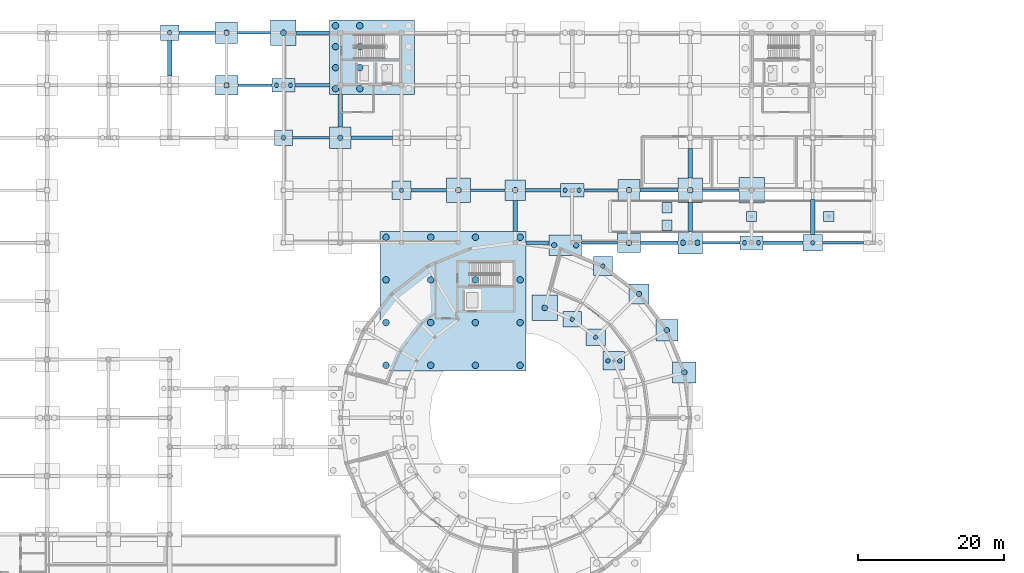
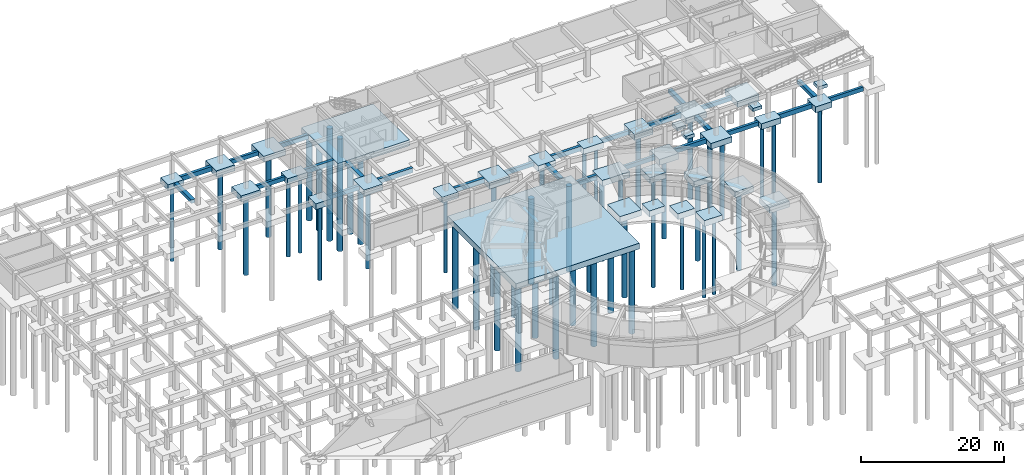
# One storey, part 5 of 43: 58 footings, 56 piles.
"""IFC4 building model written with IfcOpenShell, lengths in metres."""

import ifcopenshell
import ifcopenshell.guid

model = None  # the IFC model being written
_history = None  # IfcOwnerHistory: only IFC2X3 demands one
_inside = {}  # id of a spatial element -> (the spatial element, [elements in it])
_under = {}  # id of a project, library or spatial element -> (it, [spatial elements below it])
_declared = {}  # id of a project -> (the project, [libraries it declares])
_typed = {}  # id of a type object -> (the type object, [elements of that type])
_made_of = {}  # id of a material, layer set ... -> (it, [elements and type objects made of it])


def new_model(schema):
    """Start an empty IFC model of exactly this schema.

    Asked for "IFC4X3", IfcOpenShell would pick the latest addendum, in which some entities
    have other attributes; the version numbers below select the first issue.
    IFC2X3 requires an IfcOwnerHistory on every rooted entity: one is made here for all.
    """
    global model, _history
    if schema == "IFC4X3":
        model = ifcopenshell.file(schema_version=(4, 3, 0, 0))
    else:
        model = ifcopenshell.file(schema=schema)
    _inside.clear()
    _under.clear()
    _declared.clear()
    _typed.clear()
    _made_of.clear()
    _history = None
    if model.schema == "IFC2X3":
        org = make("IfcOrganization", Name="unknown")
        user = make(
            "IfcPersonAndOrganization",
            ThePerson=make("IfcPerson", FamilyName="unknown"),
            TheOrganization=org,
        )
        app = make(
            "IfcApplication",
            ApplicationDeveloper=org,
            Version="unknown",
            ApplicationFullName="unknown",
            ApplicationIdentifier="unknown",
        )
        _history = make(
            "IfcOwnerHistory",
            OwningUser=user,
            OwningApplication=app,
            ChangeAction="ADDED",
            CreationDate=0,
        )
    return model


def make(cls, **values):
    """One entity of the class cls with the attributes given. An attribute that is None is left unset."""
    return model.create_entity(
        cls, **{name: value for name, value in values.items() if value is not None}
    )


def rooted(cls, **values):
    """An entity with a GlobalId (a new one), such as an element, a storey or a relation."""
    return make(cls, GlobalId=ifcopenshell.guid.new(), OwnerHistory=_history, **values)


def si_unit(unit_type, name, prefix=None):
    """IfcSIUnit, for example si_unit("LENGTHUNIT", "METRE", prefix="MILLI")."""
    return make("IfcSIUnit", UnitType=unit_type, Prefix=prefix, Name=name)


def derived_unit(unit_type, elements):
    """IfcDerivedUnit: a product of units, each with its exponent."""
    return make(
        "IfcDerivedUnit",
        Elements=[
            make("IfcDerivedUnitElement", Unit=unit, Exponent=power)
            for unit, power in elements
        ],
        UnitType=unit_type,
    )


def assignment(units):
    """IfcUnitAssignment: the units of a project."""
    return None if units is None else make("IfcUnitAssignment", Units=units)


def point(xyz):
    """IfcCartesianPoint."""
    return None if xyz is None else make("IfcCartesianPoint", Coordinates=xyz)


def direction(xyz):
    """IfcDirection."""
    return None if xyz is None else make("IfcDirection", DirectionRatios=xyz)


def frame(location, z_axis=None, x_axis=None):
    """IfcAxis2Placement3D, a coordinate frame: its origin and axes. An axis left out is left unset."""
    return make(
        "IfcAxis2Placement3D",
        Location=point(location),
        Axis=direction(z_axis),
        RefDirection=direction(x_axis),
    )


def frame_2d(location, x_axis=None):
    """IfcAxis2Placement2D, a coordinate frame in the plane: its origin and x axis."""
    return make(
        "IfcAxis2Placement2D", Location=point(location), RefDirection=direction(x_axis)
    )


def origin():
    """The frame at (0, 0, 0) with its axes left unset."""
    return frame((0.0, 0.0, 0.0))


def origin_2d():
    """The frame at (0, 0) in the plane with its x axis left unset."""
    return frame_2d((0.0, 0.0))


def place(relative_to, where):
    """IfcLocalPlacement: puts the frame where relative to a parent placement (None: the world)."""
    return make(
        "IfcLocalPlacement", PlacementRelTo=relative_to, RelativePlacement=where
    )


def context(
    kind, dimensions, precision=None, world=None, true_north=None, identifier=None
):
    """IfcGeometricRepresentationContext, for example the 3D "Model" context."""
    return make(
        "IfcGeometricRepresentationContext",
        ContextIdentifier=identifier,
        ContextType=kind,
        CoordinateSpaceDimension=dimensions,
        Precision=precision,
        WorldCoordinateSystem=world,
        TrueNorth=true_north,
    )


def subcontext(parent, identifier, kind, view, scale=None):
    """IfcGeometricRepresentationSubContext, for example "Body" below "Model"."""
    return make(
        "IfcGeometricRepresentationSubContext",
        ContextIdentifier=identifier,
        ContextType=kind,
        ParentContext=parent,
        TargetScale=scale,
        TargetView=view,
    )


def project(units=None, contexts=None):
    """IfcProject with its units and contexts."""
    return rooted(
        "IfcProject",
        Name="project",
        RepresentationContexts=contexts,
        UnitsInContext=assignment(units),
    )


def spatial(cls, under=None, at=None, **own):
    """A site, building, storey or space (cls), placed at a placement, below another one or the project."""
    s = rooted(cls, ObjectPlacement=at, **own)
    if under is not None:
        _under.setdefault(under.id(), (under, []))[1].append(s)
    return s


def profile(cls, at=None, kind="AREA", **sizes):
    """A parametric profile (cls). Its sizes go by their IFC names, for example OverallWidth=200.0."""
    return make(cls, ProfileType=kind, Position=at, **sizes)


def rectangle(**sizes):
    """IfcRectangleProfileDef."""
    return profile("IfcRectangleProfileDef", **sizes)


def circle(**sizes):
    """IfcCircleProfileDef."""
    return profile("IfcCircleProfileDef", **sizes)


def extrude(swept, where, along, depth):
    """IfcExtrudedAreaSolid: the profile swept, set in the frame where, extruded along a direction by depth."""
    return make(
        "IfcExtrudedAreaSolid",
        SweptArea=swept,
        Position=where,
        ExtrudedDirection=direction(along),
        Depth=depth,
    )


def shape(context_of_items, identifier, shape_type, items):
    """IfcShapeRepresentation: the items that make up one representation, for example the "Body"."""
    return make(
        "IfcShapeRepresentation",
        ContextOfItems=context_of_items,
        RepresentationIdentifier=identifier,
        RepresentationType=shape_type,
        Items=items,
    )


def material(Name=None, Category=None):
    """IfcMaterial."""
    return make("IfcMaterial", Name=Name, Category=Category)


def material_profile(
    of_material, cross_section, Name=None, Category=None, Priority=None
):
    """IfcMaterialProfile: a cross section and its material."""
    return make(
        "IfcMaterialProfile",
        Name=Name,
        Material=of_material,
        Profile=cross_section,
        Priority=Priority,
        Category=Category,
    )


def profile_set(profiles, Name=None, composite=None):
    """IfcMaterialProfileSet."""
    return make(
        "IfcMaterialProfileSet",
        Name=Name,
        MaterialProfiles=profiles,
        CompositeProfile=composite,
    )


def made_of(thing, what):
    """Note that an element or type object is made of a material, layer set ...; save() writes the relation."""
    if what is not None:
        _made_of.setdefault(what.id(), (what, []))[1].append(thing)
    return thing


def type_object(cls, material=None, **own):
    """A type object (cls), such as IfcWallType, which elements share."""
    return made_of(rooted(cls, **own), material)


def element(
    cls,
    number,
    at=None,
    inside=None,
    cuts=None,
    type_object=None,
    material=None,
    context=None,
    identifier="Body",
    shape_type=None,
    held_by="IfcProductDefinitionShape",
    body=None,
    shapes=None,
    **own,
):
    """One element of the class cls, such as IfcWall. Its Tag is "e" and its number.

    at: its placement. inside: the storey or other place that contains it. cuts: it is an
    opening in that element (IfcRelVoidsElement). A single representation is given by context,
    identifier, shape_type and body (its items); several are given by shapes. held_by: the class
    of the entity that holds the representations. save() writes the other relations.
    """
    e = rooted(cls, Tag="e%d" % number, ObjectPlacement=at, **own)
    if body is not None:
        shapes = [shape(context, identifier, shape_type, body)]
    if shapes is not None:
        e.Representation = make(held_by, Representations=shapes)
    if inside is not None:
        _inside.setdefault(inside.id(), (inside, []))[1].append(e)
    if cuts is not None:
        rooted(
            "IfcRelVoidsElement", RelatingBuildingElement=cuts, RelatedOpeningElement=e
        )
    if type_object is not None:
        _typed.setdefault(type_object.id(), (type_object, []))[1].append(e)
    return made_of(e, material)


def aggregate(whole, parts):
    """IfcRelAggregates: a whole, such as a stair, and the parts it consists of."""
    return rooted("IfcRelAggregates", RelatingObject=whole, RelatedObjects=parts)


def save(model, path):
    """Write the relations noted so far, then the file.

    IfcRelAggregates (storeys below a building ...), IfcRelContainedInSpatialStructure (elements
    in a storey), IfcRelDefinesByType, IfcRelAssociatesMaterial and IfcRelDeclares: one each for
    every whole, place, type object, material and project.
    """
    for whole, parts in _under.values():
        aggregate(whole, parts)
    for where, things in _inside.values():
        rooted(
            "IfcRelContainedInSpatialStructure",
            RelatedElements=things,
            RelatingStructure=where,
        )
    for kind, things in _typed.values():
        rooted("IfcRelDefinesByType", RelatedObjects=things, RelatingType=kind)
    for what, things in _made_of.values():
        rooted("IfcRelAssociatesMaterial", RelatedObjects=things, RelatingMaterial=what)
    for by, libraries in _declared.values():
        rooted("IfcRelDeclares", RelatingContext=by, RelatedDefinitions=libraries)
    model.write(path)


model = new_model("IFC4")

# Units and contexts
model_context = context("Model", 3, precision=1e-05, world=origin(), true_north=direction((0.0, 1.0)))
body_context = subcontext(model_context, "Body", "Model", "MODEL_VIEW")
ifc_project = project(units=[si_unit("LENGTHUNIT", "METRE"), si_unit("AREAUNIT", "SQUARE_METRE"), si_unit("VOLUMEUNIT", "CUBIC_METRE"), si_unit("PLANEANGLEUNIT", "RADIAN"), si_unit("MASSUNIT", "GRAM", prefix="KILO"), derived_unit("THERMALTRANSMITTANCEUNIT", [(si_unit("POWERUNIT", "WATT"), 1), (si_unit("AREAUNIT", "SQUARE_METRE"), -1), (si_unit("THERMODYNAMICTEMPERATUREUNIT", "KELVIN"), -1)])], contexts=[model_context])

# Site, building, storey
site_placement = place(None, origin())
site = spatial("IfcSite", under=ifc_project, at=site_placement, CompositionType="ELEMENT")
building_placement = place(site_placement, origin())
building = spatial("IfcBuilding", under=site, at=building_placement, Name="Yasenodar Specialist Clinic", CompositionType="ELEMENT")
storey_placement = place(building_placement, frame((0.0, 0.0, -4.5)))
storey = spatial("IfcBuildingStorey", under=building, at=storey_placement, Name="B1", CompositionType="ELEMENT", Elevation=-4.5)

# Footings
ifc_material_1 = material(Name="Concrete C35/45", Category="concrete")
ifc_material_profile_1 = material_profile(ifc_material_1, rectangle(XDim=0.39990234375, YDim=0.699951171875, at=origin_2d()), Name="RC 400x700")
ifc_profile_set_1 = profile_set([ifc_material_profile_1], Name="Concrete C35/45")
footing_type_1 = type_object("IfcFootingType", Name="FB-400x700", PredefinedType="FOOTING_BEAM", material=ifc_profile_set_1)
footing_1_placement = place(storey_placement, frame((90.050048828125, 82.800048828125, -0.39990234375), z_axis=(1.0, 0.0, 0.0), x_axis=(0.0, 1.0, 0.0)))
element("IfcFooting", 1, at=footing_1_placement, inside=storey, type_object=footing_type_1, Name="B1 E-W Ground Tie Beam 068", PredefinedType="FOOTING_BEAM", context=body_context, shape_type="SweptSolid", body=[
    extrude(rectangle(XDim=0.39990234375, YDim=0.699951171875, at=origin_2d()), origin(), (0.0, 0.0, 1.0), 5.0),
])
footing_2_placement = place(storey_placement, frame((106.699951171875, 82.800048828125, -0.39990234375), z_axis=(1.0, 0.0, 0.0), x_axis=(0.0, 1.0, 0.0)))
element("IfcFooting", 2, at=footing_2_placement, inside=storey, type_object=footing_type_1, Name="B1 E-W Ground Tie Beam 070", PredefinedType="FOOTING_BEAM", context=body_context, shape_type="SweptSolid", body=[
    extrude(rectangle(XDim=0.39990234375, YDim=0.699951171875, at=origin_2d()), origin(), (0.0, 0.0, 1.0), 5.10009765625),
])
footing_3_placement = place(storey_placement, frame((123.14990234375, 82.800048828125, -0.39990234375), z_axis=(1.0, 0.0, 0.0), x_axis=(0.0, 1.0, 0.0)))
element("IfcFooting", 3, at=footing_3_placement, inside=storey, type_object=footing_type_1, Name="B1 E-W Ground Tie Beam 072", PredefinedType="FOOTING_BEAM", context=body_context, shape_type="SweptSolid", body=[
    extrude(rectangle(XDim=0.39990234375, YDim=0.699951171875, at=origin_2d()), origin(), (0.0, 0.0, 1.0), 5.60009765625),
])
footing_4_placement = place(storey_placement, frame((74.85009765625, 90.0, -0.39990234375), z_axis=(1.0, 0.0, 0.0), x_axis=(0.0, 1.0, 0.0)))
element("IfcFooting", 4, at=footing_4_placement, inside=storey, type_object=footing_type_1, Name="B1 E-W Ground Tie Beam 078", PredefinedType="FOOTING_BEAM", context=body_context, shape_type="SweptSolid", body=[
    extrude(rectangle(XDim=0.39990234375, YDim=0.699951171875, at=origin_2d()), origin(), (0.0, 0.0, 1.0), 4.75),
])
footing_5_placement = place(storey_placement, frame((90.39990234375, 90.0, -0.39990234375), z_axis=(1.0, 0.0, 0.0), x_axis=(0.0, 1.0, 0.0)))
element("IfcFooting", 5, at=footing_5_placement, inside=storey, type_object=footing_type_1, Name="B1 E-W Ground Tie Beam 080", PredefinedType="FOOTING_BEAM", context=body_context, shape_type="SweptSolid", body=[
    extrude(rectangle(XDim=0.39990234375, YDim=0.699951171875, at=origin_2d()), origin(), (0.0, 0.0, 1.0), 4.7001953125),
])
footing_6_placement = place(storey_placement, frame((106.64990234375, 90.0, -0.39990234375), z_axis=(1.0, 0.0, 0.0), x_axis=(0.0, 1.0, 0.0)))
element("IfcFooting", 6, at=footing_6_placement, inside=storey, type_object=footing_type_1, Name="B1 E-W Ground Tie Beam 082", PredefinedType="FOOTING_BEAM", context=body_context, shape_type="SweptSolid", body=[
    extrude(rectangle(XDim=0.39990234375, YDim=0.699951171875, at=origin_2d()), origin(), (0.0, 0.0, 1.0), 5.0),
])
footing_7_placement = place(storey_placement, frame((50.449951171875, 97.199951171875, -0.39990234375), z_axis=(1.0, 0.0, 0.0), x_axis=(0.0, 1.0, 0.0)))
element("IfcFooting", 7, at=footing_7_placement, inside=storey, type_object=footing_type_1, Name="B1 E-W Ground Tie Beam 090", PredefinedType="FOOTING_BEAM", context=body_context, shape_type="SweptSolid", body=[
    extrude(rectangle(XDim=0.39990234375, YDim=0.699951171875, at=origin_2d()), origin(), (0.0, 0.0, 1.0), 5.050048828125),
])
footing_8_placement = place(storey_placement, frame((42.949951171875, 104.39990234375, -0.39990234375), z_axis=(1.0, 0.0, 0.0), x_axis=(0.0, 1.0, 0.0)))
element("IfcFooting", 8, at=footing_8_placement, inside=storey, type_object=footing_type_1, Name="B1 E-W Ground Tie Beam 100", PredefinedType="FOOTING_BEAM", context=body_context, shape_type="SweptSolid", body=[
    extrude(rectangle(XDim=0.39990234375, YDim=0.699951171875, at=origin_2d()), origin(), (0.0, 0.0, 1.0), 4.650146484375),
])
footing_9_placement = place(storey_placement, frame((42.89990234375, 111.60009765625, -0.39990234375), z_axis=(1.0, 0.0, 0.0), x_axis=(0.0, 1.0, 0.0)))
element("IfcFooting", 9, at=footing_9_placement, inside=storey, type_object=footing_type_1, Name="B1 E-W Ground Tie Beam 114", PredefinedType="FOOTING_BEAM", context=body_context, shape_type="SweptSolid", body=[
    extrude(rectangle(XDim=0.39990234375, YDim=0.699951171875, at=origin_2d()), origin(), (0.0, 0.0, 1.0), 4.550048828125),
])
ifc_material_profile_2 = material_profile(ifc_material_1, rectangle(XDim=0.449951171875, YDim=0.800048828125, at=origin_2d()), Name="RC 450x800")
ifc_profile_set_2 = profile_set([ifc_material_profile_2], Name="Concrete C35/45")
footing_type_2 = type_object("IfcFootingType", Name="FB-450x800", PredefinedType="FOOTING_BEAM", material=ifc_profile_set_2)
footing_10_placement = place(storey_placement, frame((82.449951171875, 82.800048828125, -0.39990234375), z_axis=(1.0, 0.0, 0.0), x_axis=(0.0, 1.0, 0.0)))
element("IfcFooting", 10, at=footing_10_placement, inside=storey, type_object=footing_type_2, Name="B1 E-W Ground Tie Beam 067", PredefinedType="FOOTING_BEAM", context=body_context, shape_type="SweptSolid", body=[
    extrude(rectangle(XDim=0.449951171875, YDim=0.800048828125, at=origin_2d()), origin(), (0.0, 0.0, 1.0), 3.162109375),
])
footing_11_placement = place(storey_placement, frame((98.14990234375, 82.800048828125, -0.39990234375), z_axis=(1.0, 0.0, 0.0), x_axis=(0.0, 1.0, 0.0)))
element("IfcFooting", 11, at=footing_11_placement, inside=storey, type_object=footing_type_2, Name="B1 E-W Ground Tie Beam 069", PredefinedType="FOOTING_BEAM", context=body_context, shape_type="SweptSolid", body=[
    extrude(rectangle(XDim=0.449951171875, YDim=0.800048828125, at=origin_2d()), origin(), (0.0, 0.0, 1.0), 5.150146484375),
])
footing_12_placement = place(storey_placement, frame((115.0, 82.800048828125, -0.39990234375), z_axis=(1.0, 0.0, 0.0), x_axis=(0.0, 1.0, 0.0)))
element("IfcFooting", 12, at=footing_12_placement, inside=storey, type_object=footing_type_2, Name="B1 E-W Ground Tie Beam 071", PredefinedType="FOOTING_BEAM", context=body_context, shape_type="SweptSolid", body=[
    extrude(rectangle(XDim=0.449951171875, YDim=0.800048828125, at=origin_2d()), origin(), (0.0, 0.0, 1.0), 5.449951171875),
])
footing_13_placement = place(storey_placement, frame((66.699951171875, 90.0, -0.39990234375), z_axis=(1.0, 0.0, 0.0), x_axis=(0.0, 1.0, 0.0)))
element("IfcFooting", 13, at=footing_13_placement, inside=storey, type_object=footing_type_2, Name="B1 E-W Ground Tie Beam 077", PredefinedType="FOOTING_BEAM", context=body_context, shape_type="SweptSolid", body=[
    extrude(rectangle(XDim=0.449951171875, YDim=0.800048828125, at=origin_2d()), origin(), (0.0, 0.0, 1.0), 4.85009765625),
])
footing_14_placement = place(storey_placement, frame((82.39990234375, 90.0, -0.39990234375), z_axis=(1.0, 0.0, 0.0), x_axis=(0.0, 1.0, 0.0)))
element("IfcFooting", 14, at=footing_14_placement, inside=storey, type_object=footing_type_2, Name="B1 E-W Ground Tie Beam 079", PredefinedType="FOOTING_BEAM", context=body_context, shape_type="SweptSolid", body=[
    extrude(rectangle(XDim=0.449951171875, YDim=0.800048828125, at=origin_2d()), origin(), (0.0, 0.0, 1.0), 4.800048828125),
])
footing_15_placement = place(storey_placement, frame((98.10009765625, 90.0, -0.39990234375), z_axis=(1.0, 0.0, 0.0), x_axis=(0.0, 1.0, 0.0)))
element("IfcFooting", 15, at=footing_15_placement, inside=storey, type_object=footing_type_2, Name="B1 E-W Ground Tie Beam 081", PredefinedType="FOOTING_BEAM", context=body_context, shape_type="SweptSolid", body=[
    extrude(rectangle(XDim=0.449951171875, YDim=0.800048828125, at=origin_2d()), origin(), (0.0, 0.0, 1.0), 5.25),
])
footing_16_placement = place(storey_placement, frame((58.5, 97.199951171875, -0.39990234375), z_axis=(1.0, 0.0, 0.0), x_axis=(0.0, 1.0, 0.0)))
element("IfcFooting", 16, at=footing_16_placement, inside=storey, type_object=footing_type_2, Name="B1 E-W Ground Tie Beam 091", PredefinedType="FOOTING_BEAM", context=body_context, shape_type="SweptSolid", body=[
    extrude(rectangle(XDim=0.449951171875, YDim=0.800048828125, at=origin_2d()), origin(), (0.0, 0.0, 1.0), 5.64990234375),
])
footing_17_placement = place(storey_placement, frame((50.800048828125, 104.39990234375, -0.39990234375), z_axis=(1.0, 0.0, 0.0), x_axis=(0.0, 1.0, 0.0)))
element("IfcFooting", 17, at=footing_17_placement, inside=storey, type_object=footing_type_2, Name="B1 E-W Ground Tie Beam 101", PredefinedType="FOOTING_BEAM", context=body_context, shape_type="SweptSolid", body=[
    extrude(rectangle(XDim=0.449951171875, YDim=0.800048828125, at=origin_2d()), origin(), (0.0, 0.0, 1.0), 4.75),
])
footing_18_placement = place(storey_placement, frame((34.85009765625, 111.60009765625, -0.39990234375), z_axis=(1.0, 0.0, 0.0), x_axis=(0.0, 1.0, 0.0)))
element("IfcFooting", 18, at=footing_18_placement, inside=storey, type_object=footing_type_2, Name="B1 E-W Ground Tie Beam 113", PredefinedType="FOOTING_BEAM", context=body_context, shape_type="SweptSolid", body=[
    extrude(rectangle(XDim=0.449951171875, YDim=0.800048828125, at=origin_2d()), origin(), (0.0, 0.0, 1.0), 5.0498046875),
])
footing_19_placement = place(storey_placement, frame((50.949951171875, 111.60009765625, -0.39990234375), z_axis=(1.0, 0.0, 0.0), x_axis=(0.0, 1.0, 0.0)))
element("IfcFooting", 19, at=footing_19_placement, inside=storey, type_object=footing_type_2, Name="B1 E-W Ground Tie Beam 115", PredefinedType="FOOTING_BEAM", context=body_context, shape_type="SweptSolid", body=[
    extrude(rectangle(XDim=0.449951171875, YDim=0.800048828125, at=origin_2d()), origin(), (0.0, 0.0, 1.0), 4.60009765625),
])
ifc_material_profile_3 = material_profile(ifc_material_1, rectangle(XDim=0.60009765625, YDim=0.60009765625, at=origin_2d()), Name="RC 600x600")
ifc_profile_set_3 = profile_set([ifc_material_profile_3], Name="Concrete C35/45")
footing_type_3 = type_object("IfcFootingType", Name="FB-600x600", PredefinedType="FOOTING_BEAM", material=ifc_profile_set_3)
footing_20_placement = place(storey_placement, frame((33.60009765625, 105.699951171875, -0.300048828125), z_axis=(0.0, 1.0, 0.0), x_axis=(-1.0, 0.0, 0.0)))
element("IfcFooting", 20, at=footing_20_placement, inside=storey, type_object=footing_type_3, Name="B1 N-S Ground Tie Beam 161", PredefinedType="FOOTING_BEAM", context=body_context, shape_type="SweptSolid", body=[
    extrude(rectangle(XDim=0.60009765625, YDim=0.60009765625, at=origin_2d()), origin(), (0.0, 0.0, 1.0), 4.85009765625),
])
footing_21_placement = place(storey_placement, frame((57.0, 98.699951171875, -0.300048828125), z_axis=(0.0, 1.0, 0.0), x_axis=(-1.0, 0.0, 0.0)))
element("IfcFooting", 21, at=footing_21_placement, inside=storey, type_object=footing_type_3, Name="B1 N-S Ground Tie Beam 166", PredefinedType="FOOTING_BEAM", context=body_context, shape_type="SweptSolid", body=[
    extrude(rectangle(XDim=0.60009765625, YDim=0.60009765625, at=origin_2d()), origin(), (0.0, 0.0, 1.0), 4.449951171875),
])
footing_22_placement = place(storey_placement, frame((81.0, 84.35009765625, -0.300048828125), z_axis=(0.0, 1.0, 0.0), x_axis=(-1.0, 0.0, 0.0)))
element("IfcFooting", 22, at=footing_22_placement, inside=storey, type_object=footing_type_3, Name="B1 N-S Ground Tie Beam 168", PredefinedType="FOOTING_BEAM", context=body_context, shape_type="SweptSolid", body=[
    extrude(rectangle(XDim=0.60009765625, YDim=0.60009765625, at=origin_2d()), origin(), (0.0, 0.0, 1.0), 4.25),
])
footing_23_placement = place(storey_placement, frame((105.0, 84.35009765625, -0.300048828125), z_axis=(0.0, 1.0, 0.0), x_axis=(-1.0, 0.0, 0.0)))
element("IfcFooting", 23, at=footing_23_placement, inside=storey, type_object=footing_type_3, Name="B1 N-S Ground Tie Beam 177", PredefinedType="FOOTING_BEAM", context=body_context, shape_type="SweptSolid", body=[
    extrude(rectangle(XDim=0.60009765625, YDim=0.60009765625, at=origin_2d()), origin(), (0.0, 0.0, 1.0), 4.0),
])
footing_24_placement = place(storey_placement, frame((105.0, 91.64990234375, -0.300048828125), z_axis=(0.0, 1.0, 0.0), x_axis=(-1.0, 0.0, 0.0)))
element("IfcFooting", 24, at=footing_24_placement, inside=storey, type_object=footing_type_3, Name="B1 N-S Ground Tie Beam 178", PredefinedType="FOOTING_BEAM", context=body_context, shape_type="SweptSolid", body=[
    extrude(rectangle(XDim=0.60009765625, YDim=0.60009765625, at=origin_2d()), origin(), (0.0, 0.0, 1.0), 4.10009765625),
])
footing_25_placement = place(storey_placement, frame((121.800048828125, 83.949951171875, -0.300048828125), z_axis=(0.0, 1.0, 0.0), x_axis=(-1.0, 0.0, 0.0)))
element("IfcFooting", 25, at=footing_25_placement, inside=storey, type_object=footing_type_3, Name="B1 N-S Ground Tie Beam 183", PredefinedType="FOOTING_BEAM", context=body_context, shape_type="SweptSolid", body=[
    extrude(rectangle(XDim=0.60009765625, YDim=0.60009765625, at=origin_2d()), origin(), (0.0, 0.0, 1.0), 4.75),
])
footing_type_4 = type_object("IfcFootingType", Name="PAD-1400", PredefinedType="PAD_FOOTING", material=ifc_material_1)
for number, where, z_axis, x_axis, name in (
    (26, (101.800048828125, 85.199951171875, -0.5498046875), (0.0, 0.0, 1.0), (1.0, 0.0, 0.0), "B1 Vehicle Ramp RMP-01 Support Pad 1"),
    (27, (101.800048828125, 87.60009765625, -0.5498046875), (0.0, 0.0, 1.0), (1.0, 0.0, 0.0), "B1 Vehicle Ramp RMP-01 Support Pad 2"),
    (28, (113.39990234375, 86.39990234375, -0.5498046875), (0.0, 0.0, 1.0), (1.0, 0.0, 0.0), "B1 Vehicle Ramp RMP-01 Support Pad 3"),
    (29, (124.0, 86.39990234375, -0.5498046875), (0.0, 0.0, 1.0), (1.0, 0.0, 0.0), "B1 Vehicle Ramp RMP-01 Support Pad 4"),
):
    element("IfcFooting", number, at=place(storey_placement, frame(where, z_axis=z_axis, x_axis=x_axis)), inside=storey, type_object=footing_type_4, Name=name, PredefinedType="PAD_FOOTING", context=body_context, shape_type="SweptSolid", body=[
        extrude(rectangle(XDim=1.39990234375, YDim=1.39990234375, at=origin_2d()), origin(), (0.0, 0.0, 1.0), 0.550048828125),
    ])
footing_type_5 = type_object("IfcFootingType", Name="PC-1160x1020", PredefinedType="PILE_CAP", material=ifc_material_1)
footing_26_placement = place(storey_placement, frame((61.35009765625, 108.25, -1.0), z_axis=(0.0, 0.0, 1.0), x_axis=(1.0, 0.0, 0.0)))
element("IfcFooting", 30, at=footing_26_placement, inside=storey, type_object=footing_type_5, Name="B1 Pile Cap 166", PredefinedType="PILE_CAP", context=body_context, shape_type="SweptSolid", body=[
    extrude(rectangle(XDim=11.60009765625, YDim=10.199951171875, at=origin_2d()), origin(), (0.0, 0.0, 1.0), 1.0),
])
footing_type_6 = type_object("IfcFootingType", Name="PC-1997x1915", PredefinedType="PILE_CAP", material=ifc_material_1)
footing_27_placement = place(storey_placement, frame((72.464599609375, 74.77490234375, -1.0), z_axis=(0.0, 0.0, 1.0), x_axis=(1.0, 0.0, 0.0)))
element("IfcFooting", 31, at=footing_27_placement, inside=storey, type_object=footing_type_6, Name="B1 Pile Cap 102", PredefinedType="PILE_CAP", context=body_context, shape_type="SweptSolid", body=[
    extrude(rectangle(XDim=19.969970703125, YDim=19.14990234375, at=origin_2d()), origin(), (0.0, 0.0, 1.0), 1.0),
])
footing_type_7 = type_object("IfcFootingType", Name="PC-250x210", PredefinedType="PILE_CAP", material=ifc_material_1)
for number, where, z_axis, x_axis, name in (
    (32, (88.800048828125, 72.31005859375, -1.0), (0.0, 0.0, 1.0), (1.0, 0.0, 0.0), "B1 Pile Cap 112"),
    (33, (49.199951171875, 97.199951171875, -1.0), (0.0, 0.0, 1.0), (1.0, 0.0, 0.0), "B1 Pile Cap 154"),
    (34, (33.60009765625, 111.60009765625, -1.0), (0.0, 0.0, 1.0), (1.0, 0.0, 0.0), "B1 Pile Cap 181"),
):
    element("IfcFooting", number, at=place(storey_placement, frame(where, z_axis=z_axis, x_axis=x_axis)), inside=storey, type_object=footing_type_7, Name=name, PredefinedType="PILE_CAP", context=body_context, shape_type="SweptSolid", body=[
        extrude(rectangle(XDim=2.5, YDim=2.10009765625, at=origin_2d()), origin(), (0.0, 0.0, 1.0), 1.0),
    ])
footing_type_8 = type_object("IfcFootingType", Name="PC-260x260", PredefinedType="PILE_CAP", material=ifc_material_1)
for number, where, z_axis, x_axis, name in (
    (35, (93.0, 79.5849609375, -1.0), (0.0, 0.0, 1.0), (1.0, 0.0, 0.0), "B1 Pile Cap 118"),
    (36, (65.39990234375, 90.0, -1.0), (0.0, 0.0, 1.0), (1.0, 0.0, 0.0), "B1 Pile Cap 140"),
):
    element("IfcFooting", number, at=place(storey_placement, frame(where, z_axis=z_axis, x_axis=x_axis)), inside=storey, type_object=footing_type_8, Name=name, PredefinedType="PILE_CAP", context=body_context, shape_type="SweptSolid", body=[
        extrude(rectangle(XDim=2.60009765625, YDim=2.60009765625, at=origin_2d()), origin(), (0.0, 0.0, 1.0), 1.0),
    ])
footing_type_9 = type_object("IfcFootingType", Name="PC-270x230", PredefinedType="PILE_CAP", material=ifc_material_1)
for number, where, z_axis, x_axis, name in (
    (37, (92.031005859375, 69.8310546875, -1.0), (0.0, 0.0, 1.0), (1.0, 0.0, 0.0), "B1 Pile Cap 108"),
    (38, (121.800048828125, 82.800048828125, -1.0), (0.0, 0.0, 1.0), (1.0, 0.0, 0.0), "B1 Pile Cap 127"),
):
    element("IfcFooting", number, at=place(storey_placement, frame(where, z_axis=z_axis, x_axis=x_axis)), inside=storey, type_object=footing_type_9, Name=name, PredefinedType="PILE_CAP", context=body_context, shape_type="SweptSolid", body=[
        extrude(rectangle(XDim=2.699951171875, YDim=2.300048828125, at=origin_2d()), origin(), (0.0, 0.0, 1.0), 1.0),
    ])
footing_type_10 = type_object("IfcFootingType", Name="PC-280x280", PredefinedType="PILE_CAP", material=ifc_material_1)
for number, where, z_axis, x_axis, name in (
    (39, (97.970947265625, 75.77099609375, -1.0), (0.0, 0.0, 1.0), (1.0, 0.0, 0.0), "B1 Pile Cap 117"),
    (40, (81.0, 90.0, -1.0), (0.0, 0.0, 1.0), (1.0, 0.0, 0.0), "B1 Pile Cap 136"),
):
    element("IfcFooting", number, at=place(storey_placement, frame(where, z_axis=z_axis, x_axis=x_axis)), inside=storey, type_object=footing_type_10, Name=name, PredefinedType="PILE_CAP", context=body_context, shape_type="SweptSolid", body=[
        extrude(rectangle(XDim=2.800048828125, YDim=2.800048828125, at=origin_2d()), origin(), (0.0, 0.0, 1.0), 1.0),
    ])
footing_type_11 = type_object("IfcFootingType", Name="PC-290x250", PredefinedType="PILE_CAP", material=ifc_material_1)
footing_28_placement = place(storey_placement, frame((94.510009765625, 66.60009765625, -1.0), z_axis=(0.0, 0.0, 1.0), x_axis=(1.0, 0.0, 0.0)))
element("IfcFooting", 41, at=footing_28_placement, inside=storey, type_object=footing_type_11, Name="B1 Pile Cap 104", PredefinedType="PILE_CAP", context=body_context, shape_type="SweptSolid", body=[
    extrude(rectangle(XDim=2.89990234375, YDim=2.5, at=origin_2d()), origin(), (0.0, 0.0, 1.0), 1.0),
])
footing_type_12 = type_object("IfcFootingType", Name="PC-300x300", PredefinedType="PILE_CAP", material=ifc_material_1)
for number, where, z_axis, x_axis, name in (
    (42, (101.784912109375, 70.800048828125, -1.0), (0.0, 0.0, 1.0), (1.0, 0.0, 0.0), "B1 Pile Cap 109"),
    (43, (96.60009765625, 90.0, -1.0), (0.0, 0.0, 1.0), (1.0, 0.0, 0.0), "B1 Pile Cap 135"),
    (44, (57.0, 97.199951171875, -1.0), (0.0, 0.0, 1.0), (1.0, 0.0, 0.0), "B1 Pile Cap 146"),
    (45, (41.39990234375, 111.60009765625, -1.0), (0.0, 0.0, 1.0), (1.0, 0.0, 0.0), "B1 Pile Cap 174"),
):
    element("IfcFooting", number, at=place(storey_placement, frame(where, z_axis=z_axis, x_axis=x_axis)), inside=storey, type_object=footing_type_12, Name=name, PredefinedType="PILE_CAP", context=body_context, shape_type="SweptSolid", body=[
        extrude(rectangle(XDim=3.0, YDim=3.0, at=origin_2d()), origin(), (0.0, 0.0, 1.0), 1.0),
    ])
footing_type_13 = type_object("IfcFootingType", Name="PC-310x270", PredefinedType="PILE_CAP", material=ifc_material_1)
for number, where, z_axis, x_axis, name in (
    (46, (96.60009765625, 82.800048828125, -1.0), (0.0, 0.0, 1.0), (1.0, 0.0, 0.0), "B1 Pile Cap 124"),
    (47, (41.39990234375, 104.39990234375, -1.0), (0.0, 0.0, 1.0), (1.0, 0.0, 0.0), "B1 Pile Cap 161"),
):
    element("IfcFooting", number, at=place(storey_placement, frame(where, z_axis=z_axis, x_axis=x_axis)), inside=storey, type_object=footing_type_13, Name=name, PredefinedType="PILE_CAP", context=body_context, shape_type="SweptSolid", body=[
        extrude(rectangle(XDim=3.10009765625, YDim=2.699951171875, at=origin_2d()), origin(), (0.0, 0.0, 1.0), 1.0),
    ])
footing_type_14 = type_object("IfcFootingType", Name="PC-320x190", PredefinedType="PILE_CAP", material=ifc_material_1)
for number, where, z_axis, x_axis, name in (
    (48, (113.39990234375, 82.800048828125, -1.0), (0.0, 0.0, 1.0), (1.0, 0.0, 0.0), "B1 Pile Cap 129"),
    (49, (88.800048828125, 90.0, -1.0), (0.0, 0.0, 1.0), (1.0, 0.0, 0.0), "B1 Pile Cap 143"),
    (50, (49.199951171875, 104.39990234375, -1.0), (0.0, 0.0, 1.0), (1.0, 0.0, 0.0), "B1 Pile Cap 169"),
):
    element("IfcFooting", number, at=place(storey_placement, frame(where, z_axis=z_axis, x_axis=x_axis)), inside=storey, type_object=footing_type_14, Name=name, PredefinedType="PILE_CAP", context=body_context, shape_type="SweptSolid", body=[
        extrude(rectangle(XDim=3.199951171875, YDim=1.89990234375, at=origin_2d()), origin(), (0.0, 0.0, 1.0), 1.0),
    ])
footing_type_15 = type_object("IfcFootingType", Name="PC-320x290", PredefinedType="PILE_CAP", material=ifc_material_1)
footing_29_placement = place(storey_placement, frame((104.181884765625, 65.011962890625, -1.0), z_axis=(0.0, 0.0, 1.0), x_axis=(1.0, 0.0, 0.0)))
element("IfcFooting", 51, at=footing_29_placement, inside=storey, type_object=footing_type_15, Name="B1 Pile Cap 100", PredefinedType="PILE_CAP", context=body_context, shape_type="SweptSolid", body=[
    extrude(rectangle(XDim=3.199951171875, YDim=2.89990234375, at=origin_2d()), origin(), (0.0, 0.0, 1.0), 1.0),
])
footing_type_16 = type_object("IfcFootingType", Name="PC-330x330", PredefinedType="PILE_CAP", material=ifc_material_1)
for number, where, z_axis, x_axis, name in (
    (52, (73.199951171875, 90.0, -1.0), (0.0, 0.0, 1.0), (1.0, 0.0, 0.0), "B1 Pile Cap 132"),
    (53, (105.0, 90.0, -1.0), (0.0, 0.0, 1.0), (1.0, 0.0, 0.0), "B1 Pile Cap 133"),
):
    element("IfcFooting", number, at=place(storey_placement, frame(where, z_axis=z_axis, x_axis=x_axis)), inside=storey, type_object=footing_type_16, Name=name, PredefinedType="PILE_CAP", context=body_context, shape_type="SweptSolid", body=[
        extrude(rectangle(XDim=3.300048828125, YDim=3.300048828125, at=origin_2d()), origin(), (0.0, 0.0, 1.0), 1.0),
    ])
footing_type_17 = type_object("IfcFootingType", Name="PC-340x310", PredefinedType="PILE_CAP", material=ifc_material_1)
footing_30_placement = place(storey_placement, frame((105.0, 82.800048828125, -1.0), z_axis=(0.0, 0.0, 1.0), x_axis=(1.0, 0.0, 0.0)))
element("IfcFooting", 54, at=footing_30_placement, inside=storey, type_object=footing_type_17, Name="B1 Pile Cap 121", PredefinedType="PILE_CAP", context=body_context, shape_type="SweptSolid", body=[
    extrude(rectangle(XDim=3.39990234375, YDim=3.10009765625, at=origin_2d()), origin(), (0.0, 0.0, 1.0), 1.0),
])
footing_type_18 = type_object("IfcFootingType", Name="PC-350x350", PredefinedType="PILE_CAP", material=ifc_material_1)
for number, where, z_axis, x_axis, name in (
    (55, (85.0380859375, 73.867919921875, -1.0), (0.0, 0.0, 1.0), (1.0, 0.0, 0.0), "B1 Pile Cap 113"),
    (56, (113.39990234375, 90.0, -1.0), (0.0, 0.0, 1.0), (1.0, 0.0, 0.0), "B1 Pile Cap 130"),
    (57, (49.199951171875, 111.60009765625, -1.0), (0.0, 0.0, 1.0), (1.0, 0.0, 0.0), "B1 Pile Cap 170"),
):
    element("IfcFooting", number, at=place(storey_placement, frame(where, z_axis=z_axis, x_axis=x_axis)), inside=storey, type_object=footing_type_18, Name=name, PredefinedType="PILE_CAP", context=body_context, shape_type="SweptSolid", body=[
        extrude(rectangle(XDim=3.5, YDim=3.5, at=origin_2d()), origin(), (0.0, 0.0, 1.0), 1.0),
    ])
footing_type_19 = type_object("IfcFootingType", Name="PC-444x282", PredefinedType="PILE_CAP", material=ifc_material_1)
footing_31_placement = place(storey_placement, frame((87.8310546875, 82.44091796875, -1.0), z_axis=(0.0, 0.0, 1.0), x_axis=(1.0, 0.0, 0.0)))
element("IfcFooting", 58, at=footing_31_placement, inside=storey, type_object=footing_type_19, Name="B1 Pile Cap 119", PredefinedType="PILE_CAP", context=body_context, shape_type="SweptSolid", body=[
    extrude(rectangle(XDim=4.43994140625, YDim=2.820068359375, at=origin_2d()), origin(), (0.0, 0.0, 1.0), 1.0),
])

# Piles
ifc_material_2 = material(Name="Concrete C30/37", Category="concrete")
ifc_material_profile_4 = material_profile(ifc_material_2, circle(Radius=0.300048828125, at=origin_2d()), Name="PILE D600")
ifc_profile_set_4 = profile_set([ifc_material_profile_4], Name="Concrete C30/37")
pile_type_1 = type_object("IfcPileType", Name="PILE-D600", PredefinedType="BORED", material=ifc_profile_set_4)
for number, where, z_axis, x_axis, name in (
    (59, (93.699951171875, 66.60009765625, -0.89990234375), (0.0, 0.0, -1.0), (1.0, 0.0, 0.0), "B1 Bored Pile 0203"),
    (60, (95.320068359375, 66.60009765625, -0.89990234375), (0.0, 0.0, -1.0), (1.0, 0.0, 0.0), "B1 Bored Pile 0204"),
    (61, (92.031005859375, 69.8310546875, -0.89990234375), (0.0, 0.0, -1.0), (1.0, 0.0, 0.0), "B1 Bored Pile 0209"),
    (62, (88.800048828125, 72.31005859375, -0.89990234375), (0.0, 0.0, -1.0), (1.0, 0.0, 0.0), "B1 Bored Pile 0214"),
    (63, (93.0, 79.5849609375, -0.89990234375), (0.0, 0.0, -1.0), (1.0, 0.0, 0.0), "B1 Bored Pile 0220"),
    (64, (121.800048828125, 82.800048828125, -0.89990234375), (0.0, 0.0, -1.0), (1.0, 0.0, 0.0), "B1 Bored Pile 0233"),
    (65, (112.43994140625, 82.800048828125, -0.89990234375), (0.0, 0.0, -1.0), (1.0, 0.0, 0.0), "B1 Bored Pile 0235"),
    (66, (114.360107421875, 82.800048828125, -0.89990234375), (0.0, 0.0, -1.0), (1.0, 0.0, 0.0), "B1 Bored Pile 0236"),
    (67, (65.39990234375, 90.0, -0.89990234375), (0.0, 0.0, -1.0), (1.0, 0.0, 0.0), "B1 Bored Pile 0247"),
    (68, (87.840087890625, 90.0, -0.89990234375), (0.0, 0.0, -1.0), (1.0, 0.0, 0.0), "B1 Bored Pile 0251"),
    (69, (89.760009765625, 90.0, -0.89990234375), (0.0, 0.0, -1.0), (1.0, 0.0, 0.0), "B1 Bored Pile 0252"),
    (70, (49.199951171875, 97.199951171875, -0.89990234375), (0.0, 0.0, -1.0), (1.0, 0.0, 0.0), "B1 Bored Pile 0281"),
    (71, (48.239990234375, 104.39990234375, -0.89990234375), (0.0, 0.0, -1.0), (1.0, 0.0, 0.0), "B1 Bored Pile 0327"),
    (72, (50.159912109375, 104.39990234375, -0.89990234375), (0.0, 0.0, -1.0), (1.0, 0.0, 0.0), "B1 Bored Pile 0328"),
    (73, (33.60009765625, 111.60009765625, -0.89990234375), (0.0, 0.0, -1.0), (1.0, 0.0, 0.0), "B1 Bored Pile 0341"),
):
    element("IfcPile", number, at=place(storey_placement, frame(where, z_axis=z_axis, x_axis=x_axis)), inside=storey, type_object=pile_type_1, Name=name, PredefinedType="BORED", context=body_context, shape_type="SweptSolid", body=[
        extrude(circle(Radius=0.300048828125, at=origin_2d()), origin(), (0.0, 0.0, 1.0), 13.10009765625),
    ])
ifc_material_profile_5 = material_profile(ifc_material_2, circle(Radius=0.375, at=origin_2d()), Name="PILE D750")
ifc_profile_set_5 = profile_set([ifc_material_profile_5], Name="Concrete C30/37")
pile_type_2 = type_object("IfcPileType", Name="PILE-D750", PredefinedType="BORED", material=ifc_profile_set_5)
for number, where, z_axis, x_axis, name in (
    (74, (104.181884765625, 65.011962890625, -0.89990234375), (0.0, 0.0, -1.0), (1.0, 0.0, 0.0), "B1 Bored Pile 0184"),
    (75, (101.784912109375, 70.800048828125, -0.89990234375), (0.0, 0.0, -1.0), (1.0, 0.0, 0.0), "B1 Bored Pile 0210"),
    (76, (97.970947265625, 75.77099609375, -0.89990234375), (0.0, 0.0, -1.0), (1.0, 0.0, 0.0), "B1 Bored Pile 0219"),
    (77, (86.326904296875, 82.44091796875, -0.89990234375), (0.0, 0.0, -1.0), (1.0, 0.0, 0.0), "B1 Bored Pile 0221"),
    (78, (89.3369140625, 82.44091796875, -0.89990234375), (0.0, 0.0, -1.0), (1.0, 0.0, 0.0), "B1 Bored Pile 0222"),
    (79, (104.014892578125, 82.800048828125, -0.89990234375), (0.0, 0.0, -1.0), (1.0, 0.0, 0.0), "B1 Bored Pile 0225"),
    (80, (105.985107421875, 82.800048828125, -0.89990234375), (0.0, 0.0, -1.0), (1.0, 0.0, 0.0), "B1 Bored Pile 0226"),
    (81, (96.60009765625, 82.800048828125, -0.89990234375), (0.0, 0.0, -1.0), (1.0, 0.0, 0.0), "B1 Bored Pile 0229"),
    (82, (96.60009765625, 90.0, -0.89990234375), (0.0, 0.0, -1.0), (1.0, 0.0, 0.0), "B1 Bored Pile 0242"),
    (83, (81.0, 90.0, -0.89990234375), (0.0, 0.0, -1.0), (1.0, 0.0, 0.0), "B1 Bored Pile 0243"),
    (84, (57.0, 97.199951171875, -0.89990234375), (0.0, 0.0, -1.0), (1.0, 0.0, 0.0), "B1 Bored Pile 0271"),
    (85, (41.39990234375, 104.39990234375, -0.89990234375), (0.0, 0.0, -1.0), (1.0, 0.0, 0.0), "B1 Bored Pile 0303"),
    (86, (41.39990234375, 111.60009765625, -0.89990234375), (0.0, 0.0, -1.0), (1.0, 0.0, 0.0), "B1 Bored Pile 0334"),
):
    element("IfcPile", number, at=place(storey_placement, frame(where, z_axis=z_axis, x_axis=x_axis)), inside=storey, type_object=pile_type_2, Name=name, PredefinedType="BORED", context=body_context, shape_type="SweptSolid", body=[
        extrude(circle(Radius=0.375, at=origin_2d()), origin(), (0.0, 0.0, 1.0), 13.800048828125),
    ])
ifc_material_profile_6 = material_profile(ifc_material_2, circle(Radius=0.39990234375, at=origin_2d()), Name="PILE D800")
ifc_profile_set_6 = profile_set([ifc_material_profile_6], Name="Concrete C30/37")
pile_type_3 = type_object("IfcPileType", Name="PILE-D800", PredefinedType="BORED", material=ifc_profile_set_6)
for number, where, z_axis, x_axis, name in (
    (87, (85.0380859375, 73.867919921875, -0.89990234375), (0.0, 0.0, -1.0), (1.0, 0.0, 0.0), "B1 Bored Pile 0215"),
    (88, (73.199951171875, 90.0, -0.89990234375), (0.0, 0.0, -1.0), (1.0, 0.0, 0.0), "B1 Bored Pile 0239"),
    (89, (105.0, 90.0, -0.89990234375), (0.0, 0.0, -1.0), (1.0, 0.0, 0.0), "B1 Bored Pile 0240"),
    (90, (49.199951171875, 111.60009765625, -0.89990234375), (0.0, 0.0, -1.0), (1.0, 0.0, 0.0), "B1 Bored Pile 0329"),
):
    element("IfcPile", number, at=place(storey_placement, frame(where, z_axis=z_axis, x_axis=x_axis)), inside=storey, type_object=pile_type_3, Name=name, PredefinedType="BORED", context=body_context, shape_type="SweptSolid", body=[
        extrude(circle(Radius=0.39990234375, at=origin_2d()), origin(), (0.0, 0.0, 1.0), 14.39990234375),
    ])
ifc_material_profile_7 = material_profile(ifc_material_2, circle(Radius=0.449951171875, at=origin_2d()), Name="PILE D900")
ifc_profile_set_7 = profile_set([ifc_material_profile_7], Name="Concrete C30/37")
pile_type_4 = type_object("IfcPileType", Name="PILE-D900", PredefinedType="BORED", material=ifc_profile_set_7)
for number, where, z_axis, x_axis, name in (
    (91, (63.26904296875, 65.989990234375, -0.89990234375), (0.0, 0.0, -1.0), (1.0, 0.0, 0.0), "B1 Bored Pile 0186"),
    (92, (63.26904296875, 71.8466796875, -0.89990234375), (0.0, 0.0, -1.0), (1.0, 0.0, 0.0), "B1 Bored Pile 0187"),
    (93, (63.26904296875, 77.703369140625, -0.89990234375), (0.0, 0.0, -1.0), (1.0, 0.0, 0.0), "B1 Bored Pile 0188"),
    (94, (63.26904296875, 83.56005859375, -0.89990234375), (0.0, 0.0, -1.0), (1.0, 0.0, 0.0), "B1 Bored Pile 0189"),
    (95, (69.39892578125, 65.989990234375, -0.89990234375), (0.0, 0.0, -1.0), (1.0, 0.0, 0.0), "B1 Bored Pile 0190"),
    (96, (69.39892578125, 71.8466796875, -0.89990234375), (0.0, 0.0, -1.0), (1.0, 0.0, 0.0), "B1 Bored Pile 0191"),
    (97, (69.39892578125, 77.703369140625, -0.89990234375), (0.0, 0.0, -1.0), (1.0, 0.0, 0.0), "B1 Bored Pile 0192"),
    (98, (69.39892578125, 83.56005859375, -0.89990234375), (0.0, 0.0, -1.0), (1.0, 0.0, 0.0), "B1 Bored Pile 0193"),
    (99, (75.529052734375, 65.989990234375, -0.89990234375), (0.0, 0.0, -1.0), (1.0, 0.0, 0.0), "B1 Bored Pile 0194"),
    (100, (75.529052734375, 71.8466796875, -0.89990234375), (0.0, 0.0, -1.0), (1.0, 0.0, 0.0), "B1 Bored Pile 0195"),
    (101, (75.529052734375, 77.703369140625, -0.89990234375), (0.0, 0.0, -1.0), (1.0, 0.0, 0.0), "B1 Bored Pile 0196"),
    (102, (75.529052734375, 83.56005859375, -0.89990234375), (0.0, 0.0, -1.0), (1.0, 0.0, 0.0), "B1 Bored Pile 0197"),
    (103, (81.658935546875, 65.989990234375, -0.89990234375), (0.0, 0.0, -1.0), (1.0, 0.0, 0.0), "B1 Bored Pile 0198"),
    (104, (81.658935546875, 71.8466796875, -0.89990234375), (0.0, 0.0, -1.0), (1.0, 0.0, 0.0), "B1 Bored Pile 0199"),
    (105, (81.658935546875, 77.703369140625, -0.89990234375), (0.0, 0.0, -1.0), (1.0, 0.0, 0.0), "B1 Bored Pile 0200"),
    (106, (81.658935546875, 83.56005859375, -0.89990234375), (0.0, 0.0, -1.0), (1.0, 0.0, 0.0), "B1 Bored Pile 0201"),
    (107, (56.340087890625, 103.93994140625, -0.89990234375), (0.0, 0.0, -1.0), (1.0, 0.0, 0.0), "B1 Bored Pile 0308"),
    (108, (56.340087890625, 106.813232421875, -0.89990234375), (0.0, 0.0, -1.0), (1.0, 0.0, 0.0), "B1 Bored Pile 0309"),
    (109, (56.340087890625, 109.686767578125, -0.89990234375), (0.0, 0.0, -1.0), (1.0, 0.0, 0.0), "B1 Bored Pile 0310"),
    (110, (56.340087890625, 112.56005859375, -0.89990234375), (0.0, 0.0, -1.0), (1.0, 0.0, 0.0), "B1 Bored Pile 0311"),
    (111, (59.679931640625, 103.93994140625, -0.89990234375), (0.0, 0.0, -1.0), (1.0, 0.0, 0.0), "B1 Bored Pile 0312"),
    (112, (59.679931640625, 106.813232421875, -0.89990234375), (0.0, 0.0, -1.0), (1.0, 0.0, 0.0), "B1 Bored Pile 0313"),
    (113, (59.679931640625, 109.686767578125, -0.89990234375), (0.0, 0.0, -1.0), (1.0, 0.0, 0.0), "B1 Bored Pile 0314"),
    (114, (59.679931640625, 112.56005859375, -0.89990234375), (0.0, 0.0, -1.0), (1.0, 0.0, 0.0), "B1 Bored Pile 0315"),
):
    element("IfcPile", number, at=place(storey_placement, frame(where, z_axis=z_axis, x_axis=x_axis)), inside=storey, type_object=pile_type_4, Name=name, PredefinedType="BORED", context=body_context, shape_type="SweptSolid", body=[
        extrude(circle(Radius=0.449951171875, at=origin_2d()), origin(), (0.0, 0.0, 1.0), 14.60009765625),
    ])

save(model, "model.ifc")
